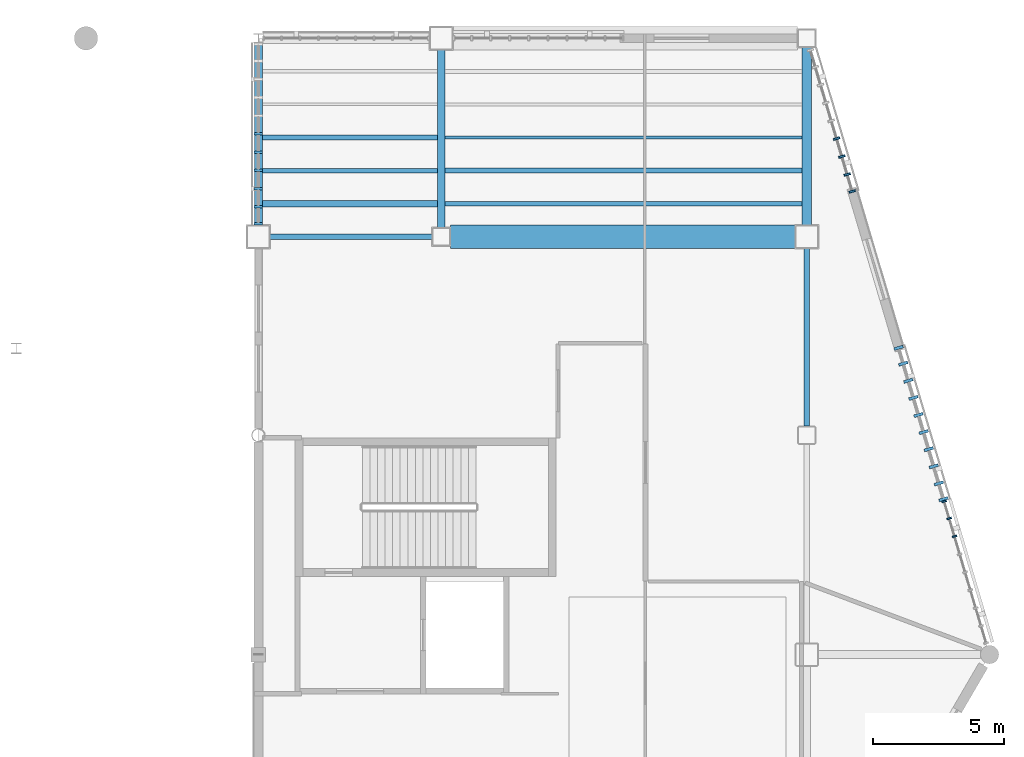
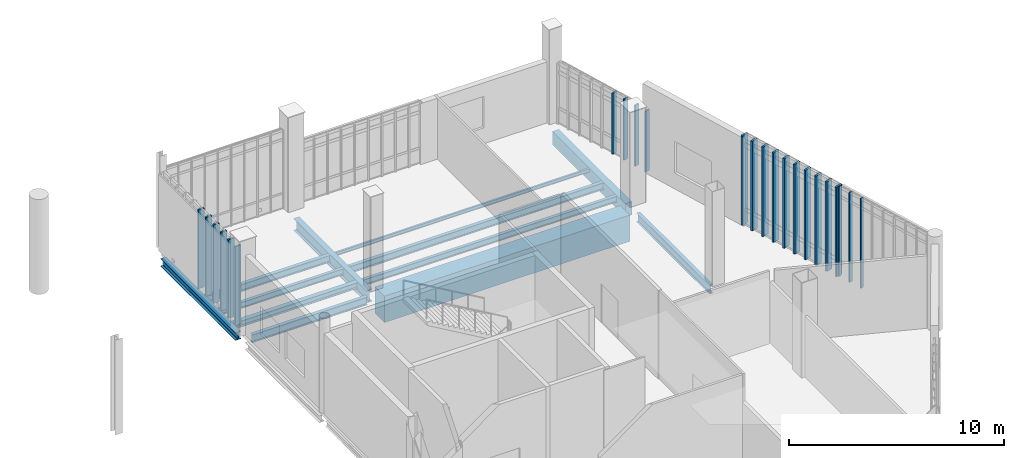
# One storey, part 42 of 127: 23 members, 12 beams, 4 elements without a shape of their own.
"""IFC4 building model written with IfcOpenShell, lengths in metres."""

from ifc_helpers import new_model, si_unit, direction, frame, origin, origin_2d, place, context, subcontext, project, spatial, rectangle, i_section, extrude, material, material_profile, profile_set, type_object, element, aggregate, save


model = new_model("IFC4")

# Units and contexts
model_context = context("Model", 3, precision=1e-05, world=origin(), true_north=direction((0.0, 1.0)))
body_context = subcontext(model_context, "Body", "Model", "MODEL_VIEW")
ifc_project = project(units=[si_unit("LENGTHUNIT", "METRE"), si_unit("AREAUNIT", "SQUARE_METRE"), si_unit("VOLUMEUNIT", "CUBIC_METRE"), si_unit("PLANEANGLEUNIT", "RADIAN"), si_unit("MASSUNIT", "GRAM", prefix="KILO")], contexts=[model_context])

# Site, building, storey
site_placement = place(None, origin())
site = spatial("IfcSite", under=ifc_project, at=site_placement, CompositionType="ELEMENT")
building_placement = place(site_placement, origin())
building = spatial("IfcBuilding", under=site, at=building_placement, Name="Larkvane Passage Sports Hall", CompositionType="ELEMENT")
storey_placement = place(building_placement, frame((0.0, 0.0, 5.39990234375)))
storey = spatial("IfcBuildingStorey", under=building, at=storey_placement, Name="L01", CompositionType="ELEMENT", Elevation=5.39990234375)

# Beams
ifc_material_1 = material(Name="Steel S355JR", Category="steel")
ifc_material_profile_1 = material_profile(ifc_material_1, i_section(OverallWidth=0.300048828125, OverallDepth=0.43994140625, WebThickness=0.010986328125, FlangeThickness=0.01806640625, FilletRadius=0.01806640625, at=origin_2d()), Name="H-440x300x11x18")
ifc_profile_set_1 = profile_set([ifc_material_profile_1], Name="Steel S355JR")
beam_type_1 = type_object("IfcBeamType", Name="BM-STL-H440", PredefinedType="BEAM", material=ifc_profile_set_1)
beam_1_placement = place(storey_placement, frame((124.60009765625, 92.050048828125, -0.639892578125), z_axis=(0.0, 1.0, 0.0), x_axis=(-1.0, 0.0, 0.0)))
element("IfcBeam", 1, at=beam_1_placement, inside=storey, type_object=beam_type_1, Name="Girder BM5-Y-L01-17-0497", PredefinedType="BEAM", context=body_context, shape_type="SweptSolid", body=[
    extrude(i_section(OverallWidth=0.300048828125, OverallDepth=0.43994140625, WebThickness=0.010986328125, FlangeThickness=0.01806640625, FilletRadius=0.01806640625, at=origin_2d()), origin(), (0.0, 0.0, 1.0), 6.974853515625),
])
ifc_material_2 = material(Name="Steel S460N", Category="steel")
ifc_material_profile_2 = material_profile(ifc_material_2, i_section(OverallWidth=0.300048828125, OverallDepth=0.69189453125, WebThickness=0.012939453125, FlangeThickness=0.02001953125, FilletRadius=0.02197265625, at=origin_2d()), Name="H-692x300x13x20")
ifc_profile_set_2 = profile_set([ifc_material_profile_2], Name="Steel S460N")
beam_type_2 = type_object("IfcBeamType", Name="BM-STL-H692", PredefinedType="BEAM", material=ifc_profile_set_2)
beam_2_placement = place(storey_placement, frame((131.60009765625, 91.949951171875, -0.765869140625), z_axis=(0.0, 1.0, 0.0), x_axis=(-1.0, 0.0, 0.0)))
element("IfcBeam", 2, at=beam_2_placement, inside=storey, type_object=beam_type_2, Name="Girder BM5-Y-L01-18-0502", PredefinedType="BEAM", context=body_context, shape_type="SweptSolid", body=[
    extrude(i_section(OverallWidth=0.300048828125, OverallDepth=0.69189453125, WebThickness=0.012939453125, FlangeThickness=0.02001953125, FilletRadius=0.02197265625, at=origin_2d()), origin(), (0.0, 0.0, 1.0), 6.800048828125),
])

# Curtain wall, members
ifc_material_3 = material(Name="Thermally broken aluminium and low-E glazing", Category="aluminium")
curtain_wall_type_1 = type_object("IfcCurtainWallType", Name="CW-CLINIC", PredefinedType="USERDEFINED", material=ifc_material_3)
curtain_wall_1_placement = place(storey_placement, origin())
curtain_wall_1 = element("IfcCurtainWall", 3, at=curtain_wall_1_placement, inside=storey, type_object=curtain_wall_type_1, Name="Curtain wall CW5-L01-051", ObjectType="UNITISED CURTAIN WALL", PredefinedType="USERDEFINED")
ifc_material_4 = material(Name="Anodised aluminium 6063-T6", Category="aluminium")
ifc_material_profile_3 = material_profile(ifc_material_4, rectangle(XDim=0.10009765625, YDim=0.320068359375, at=origin_2d()), Name="ALU-MUL-100x320")
ifc_profile_set_3 = profile_set([ifc_material_profile_3], Name="Anodised aluminium 6063-T6")
member_type_1 = type_object("IfcMemberType", Name="CW-MUL-100x320", PredefinedType="MULLION", material=ifc_profile_set_3)
member_1_placement = place(storey_placement, frame((124.60009765625, 92.095947265625, 0.0), z_axis=(0.0, 0.0, 1.0), x_axis=(0.0, 1.0, 0.0)))
member_1 = element("IfcMember", 4, at=member_1_placement, type_object=member_type_1, Name="CW-05 mullion 1", PredefinedType="MULLION", context=body_context, shape_type="SweptSolid", body=[
    extrude(rectangle(XDim=0.10009765625, YDim=0.320068359375, at=origin_2d()), origin(), (0.0, 0.0, 1.0), 4.47998046875),
])
member_2_placement = place(storey_placement, frame((124.60009765625, 92.744384765625, 0.0), z_axis=(0.0, 0.0, 1.0), x_axis=(0.0, 1.0, 0.0)))
member_2 = element("IfcMember", 5, at=member_2_placement, type_object=member_type_1, Name="CW-05 mullion 2", PredefinedType="MULLION", context=body_context, shape_type="SweptSolid", body=[
    extrude(rectangle(XDim=0.10009765625, YDim=0.320068359375, at=origin_2d()), origin(), (0.0, 0.0, 1.0), 4.47998046875),
])
member_3_placement = place(storey_placement, frame((124.60009765625, 93.442626953125, 0.0), z_axis=(0.0, 0.0, 1.0), x_axis=(0.0, 1.0, 0.0)))
member_3 = element("IfcMember", 6, at=member_3_placement, type_object=member_type_1, Name="CW-05 mullion 3", PredefinedType="MULLION", context=body_context, shape_type="SweptSolid", body=[
    extrude(rectangle(XDim=0.10009765625, YDim=0.320068359375, at=origin_2d()), origin(), (0.0, 0.0, 1.0), 4.47998046875),
])
member_4_placement = place(storey_placement, frame((124.60009765625, 94.140869140625, 0.0), z_axis=(0.0, 0.0, 1.0), x_axis=(0.0, 1.0, 0.0)))
member_4 = element("IfcMember", 7, at=member_4_placement, type_object=member_type_1, Name="CW-05 mullion 4", PredefinedType="MULLION", context=body_context, shape_type="SweptSolid", body=[
    extrude(rectangle(XDim=0.10009765625, YDim=0.320068359375, at=origin_2d()), origin(), (0.0, 0.0, 1.0), 4.47998046875),
])
member_5_placement = place(storey_placement, frame((124.60009765625, 94.839111328125, 0.0), z_axis=(0.0, 0.0, 1.0), x_axis=(0.0, 1.0, 0.0)))
member_5 = element("IfcMember", 8, at=member_5_placement, type_object=member_type_1, Name="CW-05 mullion 5", PredefinedType="MULLION", context=body_context, shape_type="SweptSolid", body=[
    extrude(rectangle(XDim=0.10009765625, YDim=0.320068359375, at=origin_2d()), origin(), (0.0, 0.0, 1.0), 4.47998046875),
])
member_6_placement = place(storey_placement, frame((124.60009765625, 95.53759765625, 0.0), z_axis=(0.0, 0.0, 1.0), x_axis=(0.0, 1.0, 0.0)))
member_6 = element("IfcMember", 9, at=member_6_placement, type_object=member_type_1, Name="CW-05 mullion 6", PredefinedType="MULLION", context=body_context, shape_type="SweptSolid", body=[
    extrude(rectangle(XDim=0.10009765625, YDim=0.320068359375, at=origin_2d()), origin(), (0.0, 0.0, 1.0), 4.47998046875),
])
aggregate(curtain_wall_1, [member_1, member_2, member_3, member_4, member_5, member_6])

curtain_wall_2_placement = place(storey_placement, origin())
curtain_wall_2 = element("IfcCurtainWall", 10, at=curtain_wall_2_placement, inside=storey, type_object=curtain_wall_type_1, Name="Curtain wall CW5-L01-055", ObjectType="UNITISED CURTAIN WALL", PredefinedType="USERDEFINED")
ifc_material_profile_4 = material_profile(ifc_material_4, rectangle(XDim=0.110107421875, YDim=0.360107421875, at=origin_2d()), Name="ALU-MUL-110x360")
ifc_profile_set_4 = profile_set([ifc_material_profile_4], Name="Anodised aluminium 6063-T6")
member_type_2 = type_object("IfcMemberType", Name="CW-MUL-110x360", PredefinedType="MULLION", material=ifc_profile_set_4)
member_7_placement = place(storey_placement, frame((149.11572265625, 87.34716796875, 0.0), z_axis=(0.0, 0.0, 1.0), x_axis=(0.284364947432, -0.958716108487, 0.0)))
member_7 = element("IfcMember", 11, at=member_7_placement, type_object=member_type_2, Name="CW-05 mullion 1", PredefinedType="MULLION", context=body_context, shape_type="SweptSolid", body=[
    extrude(rectangle(XDim=0.110107421875, YDim=0.360107421875, at=origin_2d()), origin(), (0.0, 0.0, 1.0), 5.10009765625),
])
member_8_placement = place(storey_placement, frame((149.29443359375, 86.744384765625, 0.0), z_axis=(0.0, 0.0, 1.0), x_axis=(0.284364947432, -0.958716108487, 0.0)))
member_8 = element("IfcMember", 12, at=member_8_placement, type_object=member_type_2, Name="CW-05 mullion 2", PredefinedType="MULLION", context=body_context, shape_type="SweptSolid", body=[
    extrude(rectangle(XDim=0.110107421875, YDim=0.360107421875, at=origin_2d()), origin(), (0.0, 0.0, 1.0), 5.10009765625),
])
member_9_placement = place(storey_placement, frame((149.48876953125, 86.0888671875, 0.0), z_axis=(0.0, 0.0, 1.0), x_axis=(0.284364947432, -0.958716108487, 0.0)))
member_9 = element("IfcMember", 13, at=member_9_placement, type_object=member_type_2, Name="CW-05 mullion 3", PredefinedType="MULLION", context=body_context, shape_type="SweptSolid", body=[
    extrude(rectangle(XDim=0.110107421875, YDim=0.360107421875, at=origin_2d()), origin(), (0.0, 0.0, 1.0), 5.10009765625),
])
member_10_placement = place(storey_placement, frame((149.683349609375, 85.433349609375, 0.0), z_axis=(0.0, 0.0, 1.0), x_axis=(0.284364947432, -0.958716108487, 0.0)))
member_10 = element("IfcMember", 14, at=member_10_placement, type_object=member_type_2, Name="CW-05 mullion 4", PredefinedType="MULLION", context=body_context, shape_type="SweptSolid", body=[
    extrude(rectangle(XDim=0.110107421875, YDim=0.360107421875, at=origin_2d()), origin(), (0.0, 0.0, 1.0), 5.10009765625),
])
member_11_placement = place(storey_placement, frame((149.877685546875, 84.77783203125, 0.0), z_axis=(0.0, 0.0, 1.0), x_axis=(0.284364947432, -0.958716108487, 0.0)))
member_11 = element("IfcMember", 15, at=member_11_placement, type_object=member_type_2, Name="CW-05 mullion 5", PredefinedType="MULLION", context=body_context, shape_type="SweptSolid", body=[
    extrude(rectangle(XDim=0.110107421875, YDim=0.360107421875, at=origin_2d()), origin(), (0.0, 0.0, 1.0), 5.10009765625),
])
member_12_placement = place(storey_placement, frame((150.072265625, 84.122314453125, 0.0), z_axis=(0.0, 0.0, 1.0), x_axis=(0.284364947432, -0.958716108487, 0.0)))
member_12 = element("IfcMember", 16, at=member_12_placement, type_object=member_type_2, Name="CW-05 mullion 6", PredefinedType="MULLION", context=body_context, shape_type="SweptSolid", body=[
    extrude(rectangle(XDim=0.110107421875, YDim=0.360107421875, at=origin_2d()), origin(), (0.0, 0.0, 1.0), 5.10009765625),
])
member_13_placement = place(storey_placement, frame((150.2666015625, 83.466552734375, 0.0), z_axis=(0.0, 0.0, 1.0), x_axis=(0.284364947432, -0.958716108487, 0.0)))
member_13 = element("IfcMember", 17, at=member_13_placement, type_object=member_type_2, Name="CW-05 mullion 7", PredefinedType="MULLION", context=body_context, shape_type="SweptSolid", body=[
    extrude(rectangle(XDim=0.110107421875, YDim=0.360107421875, at=origin_2d()), origin(), (0.0, 0.0, 1.0), 5.10009765625),
])
member_14_placement = place(storey_placement, frame((150.461181640625, 82.81103515625, 0.0), z_axis=(0.0, 0.0, 1.0), x_axis=(0.284364947432, -0.958716108487, 0.0)))
member_14 = element("IfcMember", 18, at=member_14_placement, type_object=member_type_2, Name="CW-05 mullion 8", PredefinedType="MULLION", context=body_context, shape_type="SweptSolid", body=[
    extrude(rectangle(XDim=0.110107421875, YDim=0.360107421875, at=origin_2d()), origin(), (0.0, 0.0, 1.0), 5.10009765625),
])
member_15_placement = place(storey_placement, frame((150.655517578125, 82.155517578125, 0.0), z_axis=(0.0, 0.0, 1.0), x_axis=(0.284364947432, -0.958716108487, 0.0)))
member_15 = element("IfcMember", 19, at=member_15_placement, type_object=member_type_2, Name="CW-05 mullion 9", PredefinedType="MULLION", context=body_context, shape_type="SweptSolid", body=[
    extrude(rectangle(XDim=0.110107421875, YDim=0.360107421875, at=origin_2d()), origin(), (0.0, 0.0, 1.0), 5.10009765625),
])
member_16_placement = place(storey_placement, frame((150.83447265625, 81.552734375, 0.0), z_axis=(0.0, 0.0, 1.0), x_axis=(0.284364947432, -0.958716108487, 0.0)))
member_16 = element("IfcMember", 20, at=member_16_placement, type_object=member_type_2, Name="CW-05 mullion 10", PredefinedType="MULLION", context=body_context, shape_type="SweptSolid", body=[
    extrude(rectangle(XDim=0.110107421875, YDim=0.360107421875, at=origin_2d()), origin(), (0.0, 0.0, 1.0), 5.10009765625),
])
aggregate(curtain_wall_2, [member_7, member_8, member_9, member_10, member_11, member_12, member_13, member_14, member_15, member_16])

curtain_wall_type_2 = type_object("IfcCurtainWallType", Name="CW-UNIT-COURT", PredefinedType="USERDEFINED", material=ifc_material_3)
curtain_wall_3_placement = place(storey_placement, origin())
curtain_wall_3 = element("IfcCurtainWall", 21, at=curtain_wall_3_placement, inside=storey, type_object=curtain_wall_type_2, Name="Curtain wall CW5-L01-056", ObjectType="UNITISED CURTAIN WALL", PredefinedType="USERDEFINED")
ifc_material_profile_5 = material_profile(ifc_material_4, rectangle(XDim=0.06494140625, YDim=0.179931640625, at=origin_2d()), Name="ALU-MUL-65x180")
ifc_profile_set_5 = profile_set([ifc_material_profile_5], Name="Anodised aluminium 6063-T6")
member_type_3 = type_object("IfcMemberType", Name="CW-MUL-65x180", PredefinedType="MULLION", material=ifc_profile_set_5)
member_17_placement = place(storey_placement, frame((150.859130859375, 81.46875, 0.0), z_axis=(0.0, 0.0, 1.0), x_axis=(0.28436317806, -0.958716633299, 0.0)))
member_17 = element("IfcMember", 22, at=member_17_placement, type_object=member_type_3, Name="CW-01 mullion 1", PredefinedType="MULLION", context=body_context, shape_type="SweptSolid", body=[
    extrude(rectangle(XDim=0.06494140625, YDim=0.179931640625, at=origin_2d()), origin(), (0.0, 0.0, 1.0), 5.10009765625),
])
member_18_placement = place(storey_placement, frame((151.053466796875, 80.814208984375, 0.0), z_axis=(0.0, 0.0, 1.0), x_axis=(0.28436317806, -0.958716633299, 0.0)))
member_18 = element("IfcMember", 23, at=member_18_placement, type_object=member_type_3, Name="CW-01 mullion 2", PredefinedType="MULLION", context=body_context, shape_type="SweptSolid", body=[
    extrude(rectangle(XDim=0.06494140625, YDim=0.179931640625, at=origin_2d()), origin(), (0.0, 0.0, 1.0), 5.10009765625),
])
member_19_placement = place(storey_placement, frame((151.2568359375, 80.12841796875, 0.0), z_axis=(0.0, 0.0, 1.0), x_axis=(0.28436317806, -0.958716633299, 0.0)))
member_19 = element("IfcMember", 24, at=member_19_placement, type_object=member_type_3, Name="CW-01 mullion 3", PredefinedType="MULLION", context=body_context, shape_type="SweptSolid", body=[
    extrude(rectangle(XDim=0.06494140625, YDim=0.179931640625, at=origin_2d()), origin(), (0.0, 0.0, 1.0), 5.10009765625),
])
aggregate(curtain_wall_3, [member_17, member_18, member_19])

curtain_wall_type_3 = type_object("IfcCurtainWallType", Name="CW-STICK-FOYER", PredefinedType="USERDEFINED", material=ifc_material_3)
curtain_wall_4_placement = place(storey_placement, origin())
curtain_wall_4 = element("IfcCurtainWall", 25, at=curtain_wall_4_placement, inside=storey, type_object=curtain_wall_type_3, Name="Curtain wall CW5-L01-054", ObjectType="STICK CURTAIN WALL", PredefinedType="USERDEFINED")
ifc_material_profile_6 = material_profile(ifc_material_4, rectangle(XDim=0.080078125, YDim=0.25, at=origin_2d()), Name="ALU-MUL-80x250")
ifc_profile_set_6 = profile_set([ifc_material_profile_6], Name="Anodised aluminium 6063-T6")
member_type_4 = type_object("IfcMemberType", Name="CW-MUL-80x250", PredefinedType="MULLION", material=ifc_profile_set_6)
member_20_placement = place(storey_placement, frame((146.73974609375, 95.357421875, 0.0), z_axis=(0.0, 0.0, 1.0), x_axis=(0.28436317806, -0.958716633299, 0.0)))
member_20 = element("IfcMember", 26, at=member_20_placement, type_object=member_type_4, Name="CW-03 mullion 6", PredefinedType="MULLION", context=body_context, shape_type="SweptSolid", body=[
    extrude(rectangle(XDim=0.080078125, YDim=0.25, at=origin_2d()), origin(), (0.0, 0.0, 1.0), 3.468017578125),
])
member_21_placement = place(storey_placement, frame((146.943115234375, 94.671630859375, 0.0), z_axis=(0.0, 0.0, 1.0), x_axis=(0.28436317806, -0.958716633299, 0.0)))
member_21 = element("IfcMember", 27, at=member_21_placement, type_object=member_type_4, Name="CW-03 mullion 7", PredefinedType="MULLION", context=body_context, shape_type="SweptSolid", body=[
    extrude(rectangle(XDim=0.080078125, YDim=0.25, at=origin_2d()), origin(), (0.0, 0.0, 1.0), 3.468017578125),
])
member_22_placement = place(storey_placement, frame((147.146484375, 93.98583984375, 0.0), z_axis=(0.0, 0.0, 1.0), x_axis=(0.28436317806, -0.958716633299, 0.0)))
member_22 = element("IfcMember", 28, at=member_22_placement, type_object=member_type_4, Name="CW-03 mullion 8", PredefinedType="MULLION", context=body_context, shape_type="SweptSolid", body=[
    extrude(rectangle(XDim=0.080078125, YDim=0.25, at=origin_2d()), origin(), (0.0, 0.0, 1.0), 3.468017578125),
])
member_23_placement = place(storey_placement, frame((147.338623046875, 93.33837890625, 0.0), z_axis=(0.0, 0.0, 1.0), x_axis=(0.28436317806, -0.958716633299, 0.0)))
member_23 = element("IfcMember", 29, at=member_23_placement, type_object=member_type_4, Name="CW-03 mullion 9", PredefinedType="MULLION", context=body_context, shape_type="SweptSolid", body=[
    extrude(rectangle(XDim=0.080078125, YDim=0.25, at=origin_2d()), origin(), (0.0, 0.0, 1.0), 3.468017578125),
])
aggregate(curtain_wall_4, [member_20, member_21, member_22, member_23])

# Beams
ifc_material_profile_7 = material_profile(ifc_material_1, i_section(OverallWidth=0.10009765625, OverallDepth=0.199951171875, WebThickness=0.005615234375, FlangeThickness=0.008056640625, FilletRadius=0.008056640625, at=origin_2d()), Name="H-200x100x5.5x8")
ifc_profile_set_7 = profile_set([ifc_material_profile_7], Name="Steel S355JR")
beam_type_3 = type_object("IfcBeamType", Name="JST-STL-H200", PredefinedType="JOIST", material=ifc_profile_set_7)
beam_3_placement = place(storey_placement, frame((131.75, 95.39990234375, -0.52001953125), z_axis=(1.0, 0.0, 0.0), x_axis=(0.0, 1.0, 0.0)))
element("IfcBeam", 30, at=beam_3_placement, inside=storey, type_object=beam_type_3, Name="Composite joist L01 18/L-3", PredefinedType="JOIST", context=body_context, shape_type="SweptSolid", body=[
    extrude(i_section(OverallWidth=0.10009765625, OverallDepth=0.199951171875, WebThickness=0.005615234375, FlangeThickness=0.008056640625, FilletRadius=0.008056640625, at=origin_2d()), origin(), (0.0, 0.0, 1.0), 13.675048828125),
])
ifc_material_profile_8 = material_profile(ifc_material_1, i_section(OverallWidth=0.25, OverallDepth=0.340087890625, WebThickness=0.009033203125, FlangeThickness=0.013916015625, FilletRadius=0.012939453125, at=origin_2d()), Name="H-340x250x9x14")
ifc_profile_set_8 = profile_set([ifc_material_profile_8], Name="Steel S355JR")
beam_type_4 = type_object("IfcBeamType", Name="JST-STL-H340", PredefinedType="JOIST", material=ifc_profile_set_8)
beam_4_placement = place(storey_placement, frame((124.75, 92.86669921875, -0.58984375), z_axis=(1.0, 0.0, 0.0), x_axis=(0.0, 1.0, 0.0)))
element("IfcBeam", 31, at=beam_4_placement, inside=storey, type_object=beam_type_4, Name="Composite joist L01 17/L-1", PredefinedType="JOIST", context=body_context, shape_type="SweptSolid", body=[
    extrude(i_section(OverallWidth=0.25, OverallDepth=0.340087890625, WebThickness=0.009033203125, FlangeThickness=0.013916015625, FilletRadius=0.012939453125, at=origin_2d()), origin(), (0.0, 0.0, 1.0), 6.699951171875),
])
ifc_material_profile_9 = material_profile(ifc_material_1, i_section(OverallWidth=0.175048828125, OverallDepth=0.35009765625, WebThickness=0.007080078125, FlangeThickness=0.010986328125, FilletRadius=0.012939453125, at=origin_2d()), Name="H-350x175x7x11")
ifc_profile_set_9 = profile_set([ifc_material_profile_9], Name="Steel S355JR")
beam_type_5 = type_object("IfcBeamType", Name="JST-STL-H350", PredefinedType="JOIST", material=ifc_profile_set_9)
beam_5_placement = place(storey_placement, frame((124.75, 94.13330078125, -0.594970703125), z_axis=(1.0, 0.0, 0.0), x_axis=(0.0, 1.0, 0.0)))
element("IfcBeam", 32, at=beam_5_placement, inside=storey, type_object=beam_type_5, Name="Composite joist L01 17/L-2", PredefinedType="JOIST", context=body_context, shape_type="SweptSolid", body=[
    extrude(i_section(OverallWidth=0.175048828125, OverallDepth=0.35009765625, WebThickness=0.007080078125, FlangeThickness=0.010986328125, FilletRadius=0.012939453125, at=origin_2d()), origin(), (0.0, 0.0, 1.0), 6.699951171875),
])
beam_6_placement = place(storey_placement, frame((131.75, 92.86669921875, -0.594970703125), z_axis=(1.0, 0.0, 0.0), x_axis=(0.0, 1.0, 0.0)))
element("IfcBeam", 33, at=beam_6_placement, inside=storey, type_object=beam_type_5, Name="Composite joist L01 18/L-1", PredefinedType="JOIST", context=body_context, shape_type="SweptSolid", body=[
    extrude(i_section(OverallWidth=0.175048828125, OverallDepth=0.35009765625, WebThickness=0.007080078125, FlangeThickness=0.010986328125, FilletRadius=0.012939453125, at=origin_2d()), origin(), (0.0, 0.0, 1.0), 13.675048828125),
])
ifc_material_profile_10 = material_profile(ifc_material_1, i_section(OverallWidth=0.199951171875, OverallDepth=0.39990234375, WebThickness=0.008056640625, FlangeThickness=0.012939453125, FilletRadius=0.012939453125, at=origin_2d()), Name="H-400x200x8x13")
ifc_profile_set_10 = profile_set([ifc_material_profile_10], Name="Steel S355JR")
beam_type_6 = type_object("IfcBeamType", Name="JST-STL-H400", PredefinedType="JOIST", material=ifc_profile_set_10)
beam_7_placement = place(storey_placement, frame((124.75, 95.39990234375, -0.619873046875), z_axis=(1.0, 0.0, 0.0), x_axis=(0.0, 1.0, 0.0)))
element("IfcBeam", 34, at=beam_7_placement, inside=storey, type_object=beam_type_6, Name="Composite joist L01 17/L-3", PredefinedType="JOIST", context=body_context, shape_type="SweptSolid", body=[
    extrude(i_section(OverallWidth=0.199951171875, OverallDepth=0.39990234375, WebThickness=0.008056640625, FlangeThickness=0.012939453125, FilletRadius=0.012939453125, at=origin_2d()), origin(), (0.0, 0.0, 1.0), 6.699951171875),
])
beam_8_placement = place(storey_placement, frame((131.75, 94.13330078125, -0.619873046875), z_axis=(1.0, 0.0, 0.0), x_axis=(0.0, 1.0, 0.0)))
element("IfcBeam", 35, at=beam_8_placement, inside=storey, type_object=beam_type_6, Name="Composite joist L01 18/L-2", PredefinedType="JOIST", context=body_context, shape_type="SweptSolid", body=[
    extrude(i_section(OverallWidth=0.199951171875, OverallDepth=0.39990234375, WebThickness=0.008056640625, FlangeThickness=0.012939453125, FilletRadius=0.012939453125, at=origin_2d()), origin(), (0.0, 0.0, 1.0), 13.675048828125),
])
ifc_material_5 = material(Name="Concrete C50/60", Category="concrete")
ifc_material_profile_11 = material_profile(ifc_material_5, rectangle(XDim=0.89990234375, YDim=1.5, at=origin_2d()), Name="PT-GIR-900x1500")
ifc_profile_set_11 = profile_set([ifc_material_profile_11], Name="Concrete C50/60")
beam_type_7 = type_object("IfcBeamType", Name="PTG-900x1500", PredefinedType="BEAM", material=ifc_profile_set_11)
beam_9_placement = place(storey_placement, frame((131.949951171875, 91.60009765625, -1.169921875), z_axis=(1.0, 0.0, 0.0), x_axis=(0.0, 1.0, 0.0)))
element("IfcBeam", 36, at=beam_9_placement, inside=storey, type_object=beam_type_7, Name="Post-tensioned transfer girder BM5-X-L01-L-0440", PredefinedType="BEAM", context=body_context, shape_type="SweptSolid", body=[
    extrude(rectangle(XDim=0.89990234375, YDim=1.5, at=origin_2d()), origin(), (0.0, 0.0, 1.0), 13.199951171875),
])
ifc_material_6 = material(Name="Concrete C40/50", Category="concrete")
ifc_material_profile_12 = material_profile(ifc_material_6, rectangle(XDim=0.35009765625, YDim=0.75, at=origin_2d()), Name="RC-SP-350x750")
ifc_profile_set_12 = profile_set([ifc_material_profile_12], Name="Concrete C40/50")
beam_type_8 = type_object("IfcBeamType", Name="SP-RC-350x750", PredefinedType="SPANDREL", material=ifc_profile_set_12)
beam_10_placement = place(storey_placement, frame((145.60009765625, 92.050048828125, -0.794921875), z_axis=(0.0, 1.0, 0.0), x_axis=(-1.0, 0.0, 0.0)))
element("IfcBeam", 37, at=beam_10_placement, inside=storey, type_object=beam_type_8, Name="Girder BM5-Y-L01-19-0509", PredefinedType="SPANDREL", context=body_context, shape_type="SweptSolid", body=[
    extrude(rectangle(XDim=0.35009765625, YDim=0.75, at=origin_2d()), origin(), (0.0, 0.0, 1.0), 6.800048828125),
])
ifc_material_profile_13 = material_profile(ifc_material_1, i_section(OverallWidth=0.199951171875, OverallDepth=0.449951171875, WebThickness=0.009033203125, FlangeThickness=0.013916015625, FilletRadius=0.01806640625, at=origin_2d()), Name="H-450x200x9x14")
ifc_profile_set_13 = profile_set([ifc_material_profile_13], Name="Steel S355JR")
beam_type_9 = type_object("IfcBeamType", Name="SP-STL-H450", PredefinedType="SPANDREL", material=ifc_profile_set_13)
beam_11_placement = place(storey_placement, frame((125.050048828125, 91.60009765625, -0.64501953125), z_axis=(1.0, 0.0, 0.0), x_axis=(0.0, 1.0, 0.0)))
element("IfcBeam", 38, at=beam_11_placement, inside=storey, type_object=beam_type_9, Name="Girder BM5-X-L01-L-0439", PredefinedType="SPANDREL", context=body_context, shape_type="SweptSolid", body=[
    extrude(i_section(OverallWidth=0.199951171875, OverallDepth=0.449951171875, WebThickness=0.009033203125, FlangeThickness=0.013916015625, FilletRadius=0.01806640625, at=origin_2d()), origin(), (0.0, 0.0, 1.0), 6.199951171875),
])
ifc_material_profile_14 = material_profile(ifc_material_1, i_section(OverallWidth=0.199951171875, OverallDepth=0.5, WebThickness=0.010009765625, FlangeThickness=0.01611328125, FilletRadius=0.01806640625, at=origin_2d()), Name="H-500x200x10x16")
ifc_profile_set_14 = profile_set([ifc_material_profile_14], Name="Steel S355JR")
beam_type_10 = type_object("IfcBeamType", Name="SP-STL-H500", PredefinedType="SPANDREL", material=ifc_profile_set_14)
beam_12_placement = place(storey_placement, frame((145.60009765625, 84.35009765625, -0.669921875), z_axis=(0.0, 1.0, 0.0), x_axis=(-1.0, 0.0, 0.0)))
element("IfcBeam", 39, at=beam_12_placement, inside=storey, type_object=beam_type_10, Name="Girder BM5-Y-L01-19-0508", PredefinedType="SPANDREL", context=body_context, shape_type="SweptSolid", body=[
    extrude(i_section(OverallWidth=0.199951171875, OverallDepth=0.5, WebThickness=0.010009765625, FlangeThickness=0.01611328125, FilletRadius=0.01806640625, at=origin_2d()), origin(), (0.0, 0.0, 1.0), 6.7998046875),
])

save(model, "model.ifc")
